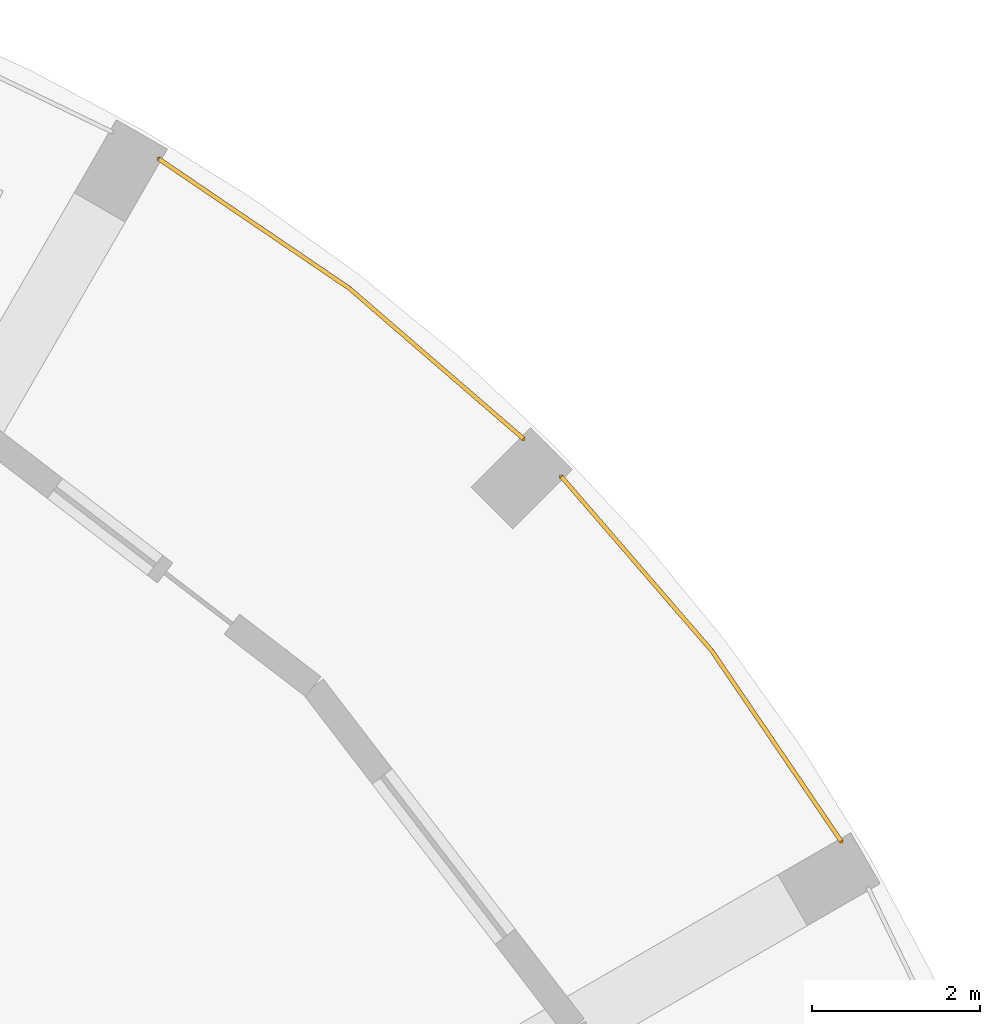
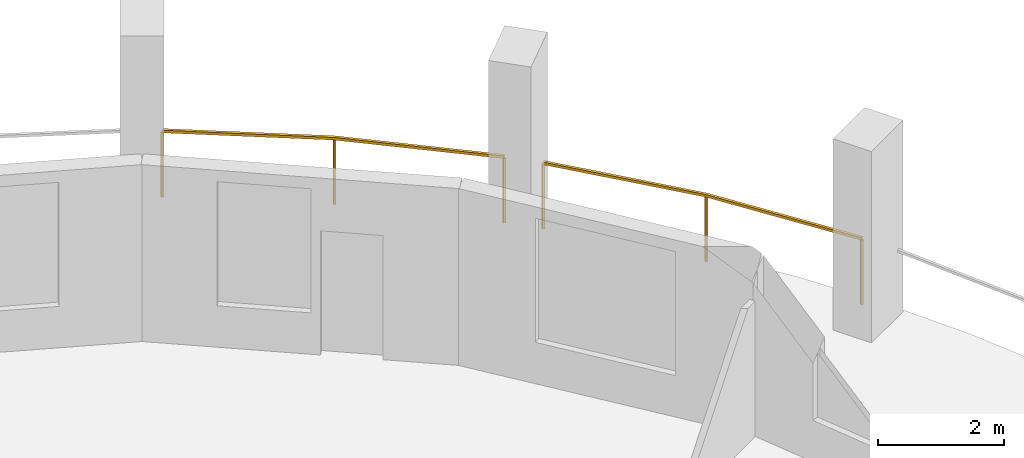
# One storey, part 8 of 8: 2 railings.
"""IFC4 building model written with IfcOpenShell, lengths in metres."""

from ifc_helpers import new_model, si_unit, direction, frame, origin, origin_2d, place, context, subcontext, project, spatial, rectangle, extrude, material, type_object, element, save


model = new_model("IFC4")

# Units and contexts
model_context = context("Model", 3, precision=1e-05, world=origin(), true_north=direction((0.0, 1.0)))
body_context = subcontext(model_context, "Body", "Model", "MODEL_VIEW")
ifc_project = project(units=[si_unit("LENGTHUNIT", "METRE"), si_unit("AREAUNIT", "SQUARE_METRE"), si_unit("VOLUMEUNIT", "CUBIC_METRE"), si_unit("PLANEANGLEUNIT", "RADIAN"), si_unit("MASSUNIT", "GRAM", prefix="KILO")], contexts=[model_context])

# Site, building, storey
site_placement = place(None, origin())
site = spatial("IfcSite", under=ifc_project, at=site_placement, CompositionType="ELEMENT")
building_placement = place(site_placement, origin())
building = spatial("IfcBuilding", under=site, at=building_placement, Name="Torre Triforio", CompositionType="ELEMENT")
storey_placement = place(building_placement, frame((0.0, 0.0, 192.800048828125)))
storey = spatial("IfcBuildingStorey", under=building, at=storey_placement, Name="L43", CompositionType="ELEMENT", Elevation=192.800048828125)

# Railings
ifc_material = material(Name="Stainless steel AISI 316", Category="steel")
railing_type = type_object("IfcRailingType", Name="Loggia guard 1300", PredefinedType="GUARDRAIL", material=ifc_material)
railing_1_placement = place(storey_placement, frame((20.061767578125, 11.9521484375, 0.0)))
element("IfcRailing", 1, at=railing_1_placement, inside=storey, type_object=railing_type, Name="Loggia guard L43 bay 03", PredefinedType="GUARDRAIL", context=body_context, shape_type="SweptSolid", body=[
    extrude(rectangle(XDim=0.050048828125, YDim=0.050048828125, at=origin_2d()), frame((0.0, 0.0, 1.27490234375), z_axis=(-0.561909542334, 0.827198686069, 0.0), x_axis=(-0.827198686069, -0.561909542334, 0.0)), (0.0, 0.0, 1.0), 2.735107421875),
    extrude(rectangle(XDim=0.050048828125, YDim=0.050048828125, at=origin_2d()), frame((-1.536865234375, 2.262451171875, 1.27490234375), z_axis=(-0.653580361536, 0.756857127214, 0.0), x_axis=(-0.756857127214, -0.653580361536, 0.0)), (0.0, 0.0, 1.0), 2.735107421875),
    extrude(rectangle(XDim=0.0400390625, YDim=0.0400390625, at=origin_2d()), origin(), (0.0, 0.0, 1.0), 1.25),
    extrude(rectangle(XDim=0.0400390625, YDim=0.0400390625, at=origin_2d()), frame((-1.536865234375, 2.262451171875, 0.0)), (0.0, 0.0, 1.0), 1.25),
    extrude(rectangle(XDim=0.0400390625, YDim=0.0400390625, at=origin_2d()), frame((-3.324462890625, 4.33251953125, 0.0)), (0.0, 0.0, 1.0), 1.25),
])
railing_2_placement = place(storey_placement, frame((16.28466796875, 16.7373046875, 0.0)))
element("IfcRailing", 2, at=railing_2_placement, inside=storey, type_object=railing_type, Name="Loggia guard L43 bay 04", PredefinedType="GUARDRAIL", context=body_context, shape_type="SweptSolid", body=[
    extrude(rectangle(XDim=0.050048828125, YDim=0.050048828125, at=origin_2d()), frame((0.0, 0.0, 1.27490234375), z_axis=(-0.756857127214, 0.653580361536, 0.0), x_axis=(-0.653580361536, -0.756857127214, 0.0)), (0.0, 0.0, 1.0), 2.735107421875),
    extrude(rectangle(XDim=0.050048828125, YDim=0.050048828125, at=origin_2d()), frame((-2.070068359375, 1.78759765625, 1.27490234375), z_axis=(-0.827198686069, 0.561909542334, 0.0), x_axis=(-0.561909542334, -0.827198686069, 0.0)), (0.0, 0.0, 1.0), 2.735107421875),
    extrude(rectangle(XDim=0.0400390625, YDim=0.0400390625, at=origin_2d()), origin(), (0.0, 0.0, 1.0), 1.25),
    extrude(rectangle(XDim=0.0400390625, YDim=0.0400390625, at=origin_2d()), frame((-2.070068359375, 1.78759765625, 0.0)), (0.0, 0.0, 1.0), 1.25),
    extrude(rectangle(XDim=0.0400390625, YDim=0.0400390625, at=origin_2d()), frame((-4.33251953125, 3.324462890625, 0.0)), (0.0, 0.0, 1.0), 1.25),
])

save(model, "model.ifc")
